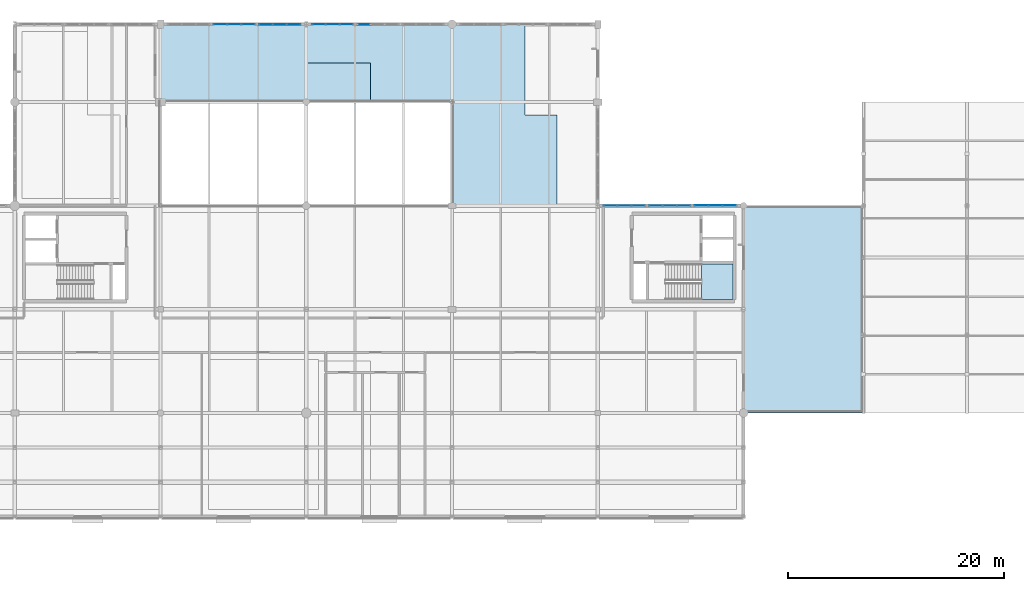
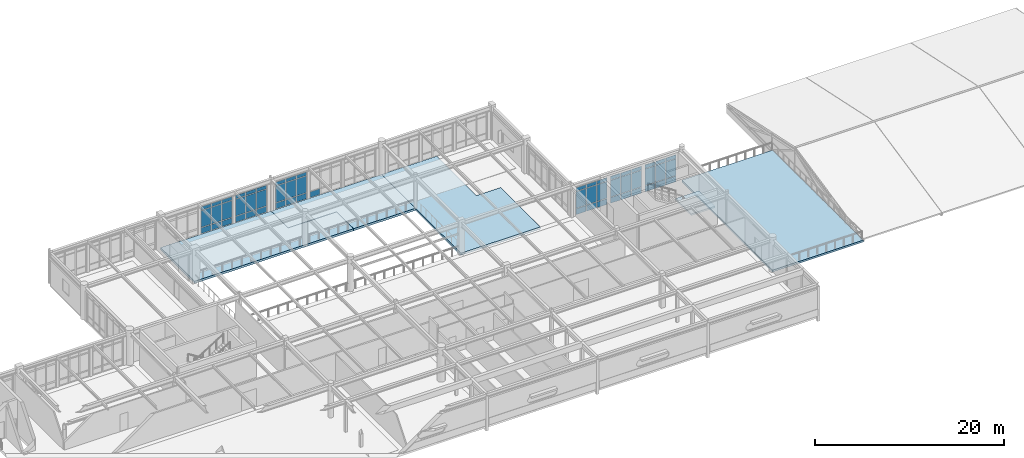
# One storey, part 40 of 61: 55 plates, 5 slabs, 8 elements without a shape of their own.
"""IFC4 building model written with IfcOpenShell, lengths in metres."""

import ifcopenshell
import ifcopenshell.guid

model = None  # the IFC model being written
_history = None  # IfcOwnerHistory: only IFC2X3 demands one
_inside = {}  # id of a spatial element -> (the spatial element, [elements in it])
_under = {}  # id of a project, library or spatial element -> (it, [spatial elements below it])
_declared = {}  # id of a project -> (the project, [libraries it declares])
_typed = {}  # id of a type object -> (the type object, [elements of that type])
_made_of = {}  # id of a material, layer set ... -> (it, [elements and type objects made of it])


def new_model(schema):
    """Start an empty IFC model of exactly this schema.

    Asked for "IFC4X3", IfcOpenShell would pick the latest addendum, in which some entities
    have other attributes; the version numbers below select the first issue.
    IFC2X3 requires an IfcOwnerHistory on every rooted entity: one is made here for all.
    """
    global model, _history
    if schema == "IFC4X3":
        model = ifcopenshell.file(schema_version=(4, 3, 0, 0))
    else:
        model = ifcopenshell.file(schema=schema)
    _inside.clear()
    _under.clear()
    _declared.clear()
    _typed.clear()
    _made_of.clear()
    _history = None
    if model.schema == "IFC2X3":
        org = make("IfcOrganization", Name="unknown")
        user = make(
            "IfcPersonAndOrganization",
            ThePerson=make("IfcPerson", FamilyName="unknown"),
            TheOrganization=org,
        )
        app = make(
            "IfcApplication",
            ApplicationDeveloper=org,
            Version="unknown",
            ApplicationFullName="unknown",
            ApplicationIdentifier="unknown",
        )
        _history = make(
            "IfcOwnerHistory",
            OwningUser=user,
            OwningApplication=app,
            ChangeAction="ADDED",
            CreationDate=0,
        )
    return model


def make(cls, **values):
    """One entity of the class cls with the attributes given. An attribute that is None is left unset."""
    return model.create_entity(
        cls, **{name: value for name, value in values.items() if value is not None}
    )


def rooted(cls, **values):
    """An entity with a GlobalId (a new one), such as an element, a storey or a relation."""
    return make(cls, GlobalId=ifcopenshell.guid.new(), OwnerHistory=_history, **values)


def si_unit(unit_type, name, prefix=None):
    """IfcSIUnit, for example si_unit("LENGTHUNIT", "METRE", prefix="MILLI")."""
    return make("IfcSIUnit", UnitType=unit_type, Prefix=prefix, Name=name)


def assignment(units):
    """IfcUnitAssignment: the units of a project."""
    return None if units is None else make("IfcUnitAssignment", Units=units)


def point(xyz):
    """IfcCartesianPoint."""
    return None if xyz is None else make("IfcCartesianPoint", Coordinates=xyz)


def direction(xyz):
    """IfcDirection."""
    return None if xyz is None else make("IfcDirection", DirectionRatios=xyz)


def frame(location, z_axis=None, x_axis=None):
    """IfcAxis2Placement3D, a coordinate frame: its origin and axes. An axis left out is left unset."""
    return make(
        "IfcAxis2Placement3D",
        Location=point(location),
        Axis=direction(z_axis),
        RefDirection=direction(x_axis),
    )


def frame_2d(location, x_axis=None):
    """IfcAxis2Placement2D, a coordinate frame in the plane: its origin and x axis."""
    return make(
        "IfcAxis2Placement2D", Location=point(location), RefDirection=direction(x_axis)
    )


def origin():
    """The frame at (0, 0, 0) with its axes left unset."""
    return frame((0.0, 0.0, 0.0))


def origin_2d():
    """The frame at (0, 0) in the plane with its x axis left unset."""
    return frame_2d((0.0, 0.0))


def place(relative_to, where):
    """IfcLocalPlacement: puts the frame where relative to a parent placement (None: the world)."""
    return make(
        "IfcLocalPlacement", PlacementRelTo=relative_to, RelativePlacement=where
    )


def context(
    kind, dimensions, precision=None, world=None, true_north=None, identifier=None
):
    """IfcGeometricRepresentationContext, for example the 3D "Model" context."""
    return make(
        "IfcGeometricRepresentationContext",
        ContextIdentifier=identifier,
        ContextType=kind,
        CoordinateSpaceDimension=dimensions,
        Precision=precision,
        WorldCoordinateSystem=world,
        TrueNorth=true_north,
    )


def subcontext(parent, identifier, kind, view, scale=None):
    """IfcGeometricRepresentationSubContext, for example "Body" below "Model"."""
    return make(
        "IfcGeometricRepresentationSubContext",
        ContextIdentifier=identifier,
        ContextType=kind,
        ParentContext=parent,
        TargetScale=scale,
        TargetView=view,
    )


def project(units=None, contexts=None):
    """IfcProject with its units and contexts."""
    return rooted(
        "IfcProject",
        Name="project",
        RepresentationContexts=contexts,
        UnitsInContext=assignment(units),
    )


def spatial(cls, under=None, at=None, **own):
    """A site, building, storey or space (cls), placed at a placement, below another one or the project."""
    s = rooted(cls, ObjectPlacement=at, **own)
    if under is not None:
        _under.setdefault(under.id(), (under, []))[1].append(s)
    return s


def polyline(points):
    """IfcPolyline through the points."""
    return make("IfcPolyline", Points=[point(p) for p in points])


def profile(cls, at=None, kind="AREA", **sizes):
    """A parametric profile (cls). Its sizes go by their IFC names, for example OverallWidth=200.0."""
    return make(cls, ProfileType=kind, Position=at, **sizes)


def rectangle(**sizes):
    """IfcRectangleProfileDef."""
    return profile("IfcRectangleProfileDef", **sizes)


def outline(outer, holes=None, kind="AREA"):
    """IfcArbitraryClosedProfileDef: a profile drawn as a closed curve; with holes, ...WithVoids."""
    if holes is None:
        return make("IfcArbitraryClosedProfileDef", ProfileType=kind, OuterCurve=outer)
    return make(
        "IfcArbitraryProfileDefWithVoids",
        ProfileType=kind,
        OuterCurve=outer,
        InnerCurves=holes,
    )


def extrude(swept, where, along, depth):
    """IfcExtrudedAreaSolid: the profile swept, set in the frame where, extruded along a direction by depth."""
    return make(
        "IfcExtrudedAreaSolid",
        SweptArea=swept,
        Position=where,
        ExtrudedDirection=direction(along),
        Depth=depth,
    )


def shape(context_of_items, identifier, shape_type, items):
    """IfcShapeRepresentation: the items that make up one representation, for example the "Body"."""
    return make(
        "IfcShapeRepresentation",
        ContextOfItems=context_of_items,
        RepresentationIdentifier=identifier,
        RepresentationType=shape_type,
        Items=items,
    )


def material(Name=None, Category=None):
    """IfcMaterial."""
    return make("IfcMaterial", Name=Name, Category=Category)


def layer(
    of_material, thickness, ventilated=None, Name=None, Category=None, Priority=None
):
    """IfcMaterialLayer: one layer of a wall or slab, of a material (None: an air gap)."""
    return make(
        "IfcMaterialLayer",
        Material=of_material,
        LayerThickness=thickness,
        IsVentilated=ventilated,
        Name=Name,
        Category=Category,
        Priority=Priority,
    )


def layer_set(layers, Name=None):
    """IfcMaterialLayerSet."""
    return make("IfcMaterialLayerSet", MaterialLayers=layers, LayerSetName=Name)


def made_of(thing, what):
    """Note that an element or type object is made of a material, layer set ...; save() writes the relation."""
    if what is not None:
        _made_of.setdefault(what.id(), (what, []))[1].append(thing)
    return thing


def type_object(cls, material=None, **own):
    """A type object (cls), such as IfcWallType, which elements share."""
    return made_of(rooted(cls, **own), material)


def element(
    cls,
    number,
    at=None,
    inside=None,
    cuts=None,
    type_object=None,
    material=None,
    context=None,
    identifier="Body",
    shape_type=None,
    held_by="IfcProductDefinitionShape",
    body=None,
    shapes=None,
    **own,
):
    """One element of the class cls, such as IfcWall. Its Tag is "e" and its number.

    at: its placement. inside: the storey or other place that contains it. cuts: it is an
    opening in that element (IfcRelVoidsElement). A single representation is given by context,
    identifier, shape_type and body (its items); several are given by shapes. held_by: the class
    of the entity that holds the representations. save() writes the other relations.
    """
    e = rooted(cls, Tag="e%d" % number, ObjectPlacement=at, **own)
    if body is not None:
        shapes = [shape(context, identifier, shape_type, body)]
    if shapes is not None:
        e.Representation = make(held_by, Representations=shapes)
    if inside is not None:
        _inside.setdefault(inside.id(), (inside, []))[1].append(e)
    if cuts is not None:
        rooted(
            "IfcRelVoidsElement", RelatingBuildingElement=cuts, RelatedOpeningElement=e
        )
    if type_object is not None:
        _typed.setdefault(type_object.id(), (type_object, []))[1].append(e)
    return made_of(e, material)


def aggregate(whole, parts):
    """IfcRelAggregates: a whole, such as a stair, and the parts it consists of."""
    return rooted("IfcRelAggregates", RelatingObject=whole, RelatedObjects=parts)


def save(model, path):
    """Write the relations noted so far, then the file.

    IfcRelAggregates (storeys below a building ...), IfcRelContainedInSpatialStructure (elements
    in a storey), IfcRelDefinesByType, IfcRelAssociatesMaterial and IfcRelDeclares: one each for
    every whole, place, type object, material and project.
    """
    for whole, parts in _under.values():
        aggregate(whole, parts)
    for where, things in _inside.values():
        rooted(
            "IfcRelContainedInSpatialStructure",
            RelatedElements=things,
            RelatingStructure=where,
        )
    for kind, things in _typed.values():
        rooted("IfcRelDefinesByType", RelatedObjects=things, RelatingType=kind)
    for what, things in _made_of.values():
        rooted("IfcRelAssociatesMaterial", RelatedObjects=things, RelatingMaterial=what)
    for by, libraries in _declared.values():
        rooted("IfcRelDeclares", RelatingContext=by, RelatedDefinitions=libraries)
    model.write(path)


model = new_model("IFC4")

# Units and contexts
model_context = context("Model", 3, precision=1e-05, world=origin(), true_north=direction((0.0, 1.0)))
body_context = subcontext(model_context, "Body", "Model", "MODEL_VIEW")
ifc_project = project(units=[si_unit("LENGTHUNIT", "METRE"), si_unit("AREAUNIT", "SQUARE_METRE"), si_unit("VOLUMEUNIT", "CUBIC_METRE"), si_unit("PLANEANGLEUNIT", "RADIAN"), si_unit("MASSUNIT", "GRAM", prefix="KILO")], contexts=[model_context])

# Site, building, storey
site_placement = place(None, origin())
site = spatial("IfcSite", under=ifc_project, at=site_placement, CompositionType="ELEMENT")
building_placement = place(site_placement, origin())
building = spatial("IfcBuilding", under=site, at=building_placement, Name="Fikremerkos Civic Library", CompositionType="ELEMENT")
storey_placement = place(building_placement, frame((0.0, 0.0, 14.39990234375)))
storey = spatial("IfcBuildingStorey", under=building, at=storey_placement, Name="L03", CompositionType="ELEMENT", Elevation=14.39990234375)

# Curtain wall, plates
ifc_material_1 = material(Name="Anodized aluminium Frame", Category="aluminium")
ifc_layer_1 = layer(ifc_material_1, 0.159912109375, Name="Anodized aluminium Frame")
ifc_layer_set_1 = layer_set([ifc_layer_1], Name="Anodized aluminium Frame")
curtain_wall_type_1 = type_object("IfcCurtainWallType", Name="Unitised curtain wall CW-17 4600x3600", PredefinedType="USERDEFINED", material=ifc_layer_set_1)
curtain_wall_1_placement = place(storey_placement, origin())
curtain_wall_1 = element("IfcCurtainWall", 1, at=curtain_wall_1_placement, inside=storey, type_object=curtain_wall_type_1, Name="Unitised curtain wall CW-17 L03 #197", ObjectType="UNITISED CURTAIN WALL", PredefinedType="USERDEFINED")
ifc_material_2 = material(Name="Solar control double glazing", Category="glass")
ifc_layer_2 = layer(ifc_material_2, 0.028076171875, Name="Solar control double glazing")
ifc_layer_set_2 = layer_set([ifc_layer_2], Name="Solar control double glazing")
plate_type_1 = type_object("IfcPlateType", Name="Curtain glazing panel CWP-01 28", PredefinedType="CURTAIN_PANEL", material=ifc_layer_set_2)
plate_1_placement = place(storey_placement, frame((65.2353515625, 48.0, 0.070068359375), z_axis=(0.0, 0.0, 1.0), x_axis=(1.0, 0.0, 0.0)))
plate_1 = element("IfcPlate", 2, at=plate_1_placement, type_object=plate_type_1, Name="CW-17 panel 1.1", PredefinedType="CURTAIN_PANEL", context=body_context, shape_type="SweptSolid", body=[
    extrude(rectangle(XDim=1.20849609375, YDim=0.028076171875, at=origin_2d()), origin(), (0.0, 0.0, 1.0), 0.7451171875),
])
plate_2_placement = place(storey_placement, frame((65.2353515625, 48.0, 0.88525390625), z_axis=(0.0, 0.0, 1.0), x_axis=(1.0, 0.0, 0.0)))
plate_2 = element("IfcPlate", 3, at=plate_2_placement, type_object=plate_type_1, Name="CW-17 panel 1.2", PredefinedType="CURTAIN_PANEL", context=body_context, shape_type="SweptSolid", body=[
    extrude(rectangle(XDim=1.20849609375, YDim=0.028076171875, at=origin_2d()), origin(), (0.0, 0.0, 1.0), 2.139892578125),
])
plate_3_placement = place(storey_placement, frame((65.2353515625, 48.0, 3.09521484375), z_axis=(0.0, 0.0, 1.0), x_axis=(1.0, 0.0, 0.0)))
plate_3 = element("IfcPlate", 4, at=plate_3_placement, type_object=plate_type_1, Name="CW-17 panel 1.3", PredefinedType="CURTAIN_PANEL", context=body_context, shape_type="SweptSolid", body=[
    extrude(rectangle(XDim=1.20849609375, YDim=0.028076171875, at=origin_2d()), origin(), (0.0, 0.0, 1.0), 0.445068359375),
])
plate_4_placement = place(storey_placement, frame((66.52490234375, 48.0, 0.070068359375), z_axis=(0.0, 0.0, 1.0), x_axis=(1.0, 0.0, 0.0)))
plate_4 = element("IfcPlate", 5, at=plate_4_placement, type_object=plate_type_1, Name="CW-17 panel 2.1", PredefinedType="CURTAIN_PANEL", context=body_context, shape_type="SweptSolid", body=[
    extrude(rectangle(XDim=1.240966796875, YDim=0.028076171875, at=origin_2d()), origin(), (0.0, 0.0, 1.0), 0.7451171875),
])
plate_5_placement = place(storey_placement, frame((66.52490234375, 48.0, 0.88525390625), z_axis=(0.0, 0.0, 1.0), x_axis=(1.0, 0.0, 0.0)))
plate_5 = element("IfcPlate", 6, at=plate_5_placement, type_object=plate_type_1, Name="CW-17 panel 2.2", PredefinedType="CURTAIN_PANEL", context=body_context, shape_type="SweptSolid", body=[
    extrude(rectangle(XDim=1.240966796875, YDim=0.028076171875, at=origin_2d()), origin(), (0.0, 0.0, 1.0), 2.139892578125),
])
plate_6_placement = place(storey_placement, frame((66.52490234375, 48.0, 3.09521484375), z_axis=(0.0, 0.0, 1.0), x_axis=(1.0, 0.0, 0.0)))
plate_6 = element("IfcPlate", 7, at=plate_6_placement, type_object=plate_type_1, Name="CW-17 panel 2.3", PredefinedType="CURTAIN_PANEL", context=body_context, shape_type="SweptSolid", body=[
    extrude(rectangle(XDim=1.240966796875, YDim=0.028076171875, at=origin_2d()), origin(), (0.0, 0.0, 1.0), 0.445068359375),
])
plate_7_placement = place(storey_placement, frame((67.814697265625, 48.0, 0.070068359375), z_axis=(0.0, 0.0, 1.0), x_axis=(1.0, 0.0, 0.0)))
plate_7 = element("IfcPlate", 8, at=plate_7_placement, type_object=plate_type_1, Name="CW-17 panel 3.1", PredefinedType="CURTAIN_PANEL", context=body_context, shape_type="SweptSolid", body=[
    extrude(rectangle(XDim=1.20849609375, YDim=0.028076171875, at=origin_2d()), origin(), (0.0, 0.0, 1.0), 0.7451171875),
])
plate_8_placement = place(storey_placement, frame((67.814697265625, 48.0, 0.88525390625), z_axis=(0.0, 0.0, 1.0), x_axis=(1.0, 0.0, 0.0)))
plate_8 = element("IfcPlate", 9, at=plate_8_placement, type_object=plate_type_1, Name="CW-17 panel 3.2", PredefinedType="CURTAIN_PANEL", context=body_context, shape_type="SweptSolid", body=[
    extrude(rectangle(XDim=1.20849609375, YDim=0.028076171875, at=origin_2d()), origin(), (0.0, 0.0, 1.0), 2.139892578125),
])
plate_9_placement = place(storey_placement, frame((67.814697265625, 48.0, 3.09521484375), z_axis=(0.0, 0.0, 1.0), x_axis=(1.0, 0.0, 0.0)))
plate_9 = element("IfcPlate", 10, at=plate_9_placement, type_object=plate_type_1, Name="CW-17 panel 3.3", PredefinedType="CURTAIN_PANEL", context=body_context, shape_type="SweptSolid", body=[
    extrude(rectangle(XDim=1.20849609375, YDim=0.028076171875, at=origin_2d()), origin(), (0.0, 0.0, 1.0), 0.445068359375),
])
aggregate(curtain_wall_1, [plate_1, plate_2, plate_3, plate_4, plate_5, plate_6, plate_7, plate_8, plate_9])

ifc_layer_3 = layer(ifc_material_1, 0.159912109375, Name="Anodized aluminium Frame")
ifc_layer_set_3 = layer_set([ifc_layer_3], Name="Anodized aluminium Frame")
curtain_wall_type_2 = type_object("IfcCurtainWallType", Name="Unitised curtain wall CW-01 3600x3600", PredefinedType="USERDEFINED", material=ifc_layer_set_3)
curtain_wall_2_placement = place(storey_placement, origin())
curtain_wall_2 = element("IfcCurtainWall", 11, at=curtain_wall_2_placement, inside=storey, type_object=curtain_wall_type_2, Name="Unitised curtain wall CW-01 L03 #199", ObjectType="UNITISED CURTAIN WALL", PredefinedType="USERDEFINED")
plate_10_placement = place(storey_placement, frame((74.36181640625, 48.0, 0.070068359375), z_axis=(0.0, 0.0, 1.0), x_axis=(1.0, 0.0, 0.0)))
plate_10 = element("IfcPlate", 12, at=plate_10_placement, type_object=plate_type_1, Name="CW-01 panel 1.1", PredefinedType="CURTAIN_PANEL", context=body_context, shape_type="SweptSolid", body=[
    extrude(rectangle(XDim=1.197509765625, YDim=0.028076171875, at=origin_2d()), origin(), (0.0, 0.0, 1.0), 0.7451171875),
])
plate_11_placement = place(storey_placement, frame((74.36181640625, 48.0, 0.88525390625), z_axis=(0.0, 0.0, 1.0), x_axis=(1.0, 0.0, 0.0)))
plate_11 = element("IfcPlate", 13, at=plate_11_placement, type_object=plate_type_1, Name="CW-01 panel 1.2", PredefinedType="CURTAIN_PANEL", context=body_context, shape_type="SweptSolid", body=[
    extrude(rectangle(XDim=1.197509765625, YDim=0.028076171875, at=origin_2d()), origin(), (0.0, 0.0, 1.0), 2.139892578125),
])
plate_12_placement = place(storey_placement, frame((74.36181640625, 48.0, 3.09521484375), z_axis=(0.0, 0.0, 1.0), x_axis=(1.0, 0.0, 0.0)))
plate_12 = element("IfcPlate", 14, at=plate_12_placement, type_object=plate_type_1, Name="CW-01 panel 1.3", PredefinedType="CURTAIN_PANEL", context=body_context, shape_type="SweptSolid", body=[
    extrude(rectangle(XDim=1.197509765625, YDim=0.028076171875, at=origin_2d()), origin(), (0.0, 0.0, 1.0), 0.445068359375),
])
plate_13_placement = place(storey_placement, frame((75.640380859375, 48.0, 0.070068359375), z_axis=(0.0, 0.0, 1.0), x_axis=(1.0, 0.0, 0.0)))
plate_13 = element("IfcPlate", 15, at=plate_13_placement, type_object=plate_type_1, Name="CW-01 panel 2.1", PredefinedType="CURTAIN_PANEL", context=body_context, shape_type="SweptSolid", body=[
    extrude(rectangle(XDim=1.22998046875, YDim=0.028076171875, at=origin_2d()), origin(), (0.0, 0.0, 1.0), 0.7451171875),
])
plate_14_placement = place(storey_placement, frame((75.640380859375, 48.0, 0.88525390625), z_axis=(0.0, 0.0, 1.0), x_axis=(1.0, 0.0, 0.0)))
plate_14 = element("IfcPlate", 16, at=plate_14_placement, type_object=plate_type_1, Name="CW-01 panel 2.2", PredefinedType="CURTAIN_PANEL", context=body_context, shape_type="SweptSolid", body=[
    extrude(rectangle(XDim=1.22998046875, YDim=0.028076171875, at=origin_2d()), origin(), (0.0, 0.0, 1.0), 2.139892578125),
])
plate_15_placement = place(storey_placement, frame((75.640380859375, 48.0, 3.09521484375), z_axis=(0.0, 0.0, 1.0), x_axis=(1.0, 0.0, 0.0)))
plate_15 = element("IfcPlate", 17, at=plate_15_placement, type_object=plate_type_1, Name="CW-01 panel 2.3", PredefinedType="CURTAIN_PANEL", context=body_context, shape_type="SweptSolid", body=[
    extrude(rectangle(XDim=1.22998046875, YDim=0.028076171875, at=origin_2d()), origin(), (0.0, 0.0, 1.0), 0.445068359375),
])
plate_16_placement = place(storey_placement, frame((76.9189453125, 48.0, 0.070068359375), z_axis=(0.0, 0.0, 1.0), x_axis=(1.0, 0.0, 0.0)))
plate_16 = element("IfcPlate", 18, at=plate_16_placement, type_object=plate_type_1, Name="CW-01 panel 3.1", PredefinedType="CURTAIN_PANEL", context=body_context, shape_type="SweptSolid", body=[
    extrude(rectangle(XDim=1.197509765625, YDim=0.028076171875, at=origin_2d()), origin(), (0.0, 0.0, 1.0), 0.7451171875),
])
plate_17_placement = place(storey_placement, frame((76.9189453125, 48.0, 0.88525390625), z_axis=(0.0, 0.0, 1.0), x_axis=(1.0, 0.0, 0.0)))
plate_17 = element("IfcPlate", 19, at=plate_17_placement, type_object=plate_type_1, Name="CW-01 panel 3.2", PredefinedType="CURTAIN_PANEL", context=body_context, shape_type="SweptSolid", body=[
    extrude(rectangle(XDim=1.197509765625, YDim=0.028076171875, at=origin_2d()), origin(), (0.0, 0.0, 1.0), 2.139892578125),
])
plate_18_placement = place(storey_placement, frame((76.9189453125, 48.0, 3.09521484375), z_axis=(0.0, 0.0, 1.0), x_axis=(1.0, 0.0, 0.0)))
plate_18 = element("IfcPlate", 20, at=plate_18_placement, type_object=plate_type_1, Name="CW-01 panel 3.3", PredefinedType="CURTAIN_PANEL", context=body_context, shape_type="SweptSolid", body=[
    extrude(rectangle(XDim=1.197509765625, YDim=0.028076171875, at=origin_2d()), origin(), (0.0, 0.0, 1.0), 0.445068359375),
])
aggregate(curtain_wall_2, [plate_10, plate_11, plate_12, plate_13, plate_14, plate_15, plate_16, plate_17, plate_18])

ifc_layer_4 = layer(ifc_material_1, 0.159912109375, Name="Anodized aluminium Frame")
ifc_layer_set_4 = layer_set([ifc_layer_4], Name="Anodized aluminium Frame")
curtain_wall_type_3 = type_object("IfcCurtainWallType", Name="Unitised curtain wall CW-09 3600x3400", PredefinedType="USERDEFINED", material=ifc_layer_set_4)
curtain_wall_3_placement = place(storey_placement, origin())
curtain_wall_3 = element("IfcCurtainWall", 21, at=curtain_wall_3_placement, inside=storey, type_object=curtain_wall_type_3, Name="Unitised curtain wall CW-09 L03 #207", ObjectType="UNITISED CURTAIN WALL", PredefinedType="USERDEFINED")
plate_19_placement = place(storey_placement, frame((101.3671875, 31.199951171875, 0.070068359375), z_axis=(0.0, 0.0, 1.0), x_axis=(1.0, 0.0, 0.0)))
plate_19 = element("IfcPlate", 22, at=plate_19_placement, type_object=plate_type_1, Name="CW-09 panel 1.1", PredefinedType="CURTAIN_PANEL", context=body_context, shape_type="SweptSolid", body=[
    extrude(rectangle(XDim=1.20849609375, YDim=0.028076171875, at=origin_2d()), origin(), (0.0, 0.0, 1.0), 0.7451171875),
])
plate_20_placement = place(storey_placement, frame((101.3671875, 31.199951171875, 0.88525390625), z_axis=(0.0, 0.0, 1.0), x_axis=(1.0, 0.0, 0.0)))
plate_20 = element("IfcPlate", 23, at=plate_20_placement, type_object=plate_type_1, Name="CW-09 panel 1.2", PredefinedType="CURTAIN_PANEL", context=body_context, shape_type="SweptSolid", body=[
    extrude(rectangle(XDim=1.20849609375, YDim=0.028076171875, at=origin_2d()), origin(), (0.0, 0.0, 1.0), 2.1298828125),
])
plate_21_placement = place(storey_placement, frame((101.3671875, 31.199951171875, 3.0849609375), z_axis=(0.0, 0.0, 1.0), x_axis=(1.0, 0.0, 0.0)))
plate_21 = element("IfcPlate", 24, at=plate_21_placement, type_object=plate_type_1, Name="CW-09 panel 1.3", PredefinedType="CURTAIN_PANEL", context=body_context, shape_type="SweptSolid", body=[
    extrude(rectangle(XDim=1.20849609375, YDim=0.028076171875, at=origin_2d()), origin(), (0.0, 0.0, 1.0), 0.445068359375),
])
plate_22_placement = place(storey_placement, frame((102.656982421875, 31.199951171875, 0.070068359375), z_axis=(0.0, 0.0, 1.0), x_axis=(1.0, 0.0, 0.0)))
plate_22 = element("IfcPlate", 25, at=plate_22_placement, type_object=plate_type_1, Name="CW-09 panel 2.1", PredefinedType="CURTAIN_PANEL", context=body_context, shape_type="SweptSolid", body=[
    extrude(rectangle(XDim=1.240966796875, YDim=0.028076171875, at=origin_2d()), origin(), (0.0, 0.0, 1.0), 0.7451171875),
])
plate_23_placement = place(storey_placement, frame((102.656982421875, 31.199951171875, 0.88525390625), z_axis=(0.0, 0.0, 1.0), x_axis=(1.0, 0.0, 0.0)))
plate_23 = element("IfcPlate", 26, at=plate_23_placement, type_object=plate_type_1, Name="CW-09 panel 2.2", PredefinedType="CURTAIN_PANEL", context=body_context, shape_type="SweptSolid", body=[
    extrude(rectangle(XDim=1.240966796875, YDim=0.028076171875, at=origin_2d()), origin(), (0.0, 0.0, 1.0), 2.1298828125),
])
plate_24_placement = place(storey_placement, frame((102.656982421875, 31.199951171875, 3.0849609375), z_axis=(0.0, 0.0, 1.0), x_axis=(1.0, 0.0, 0.0)))
plate_24 = element("IfcPlate", 27, at=plate_24_placement, type_object=plate_type_1, Name="CW-09 panel 2.3", PredefinedType="CURTAIN_PANEL", context=body_context, shape_type="SweptSolid", body=[
    extrude(rectangle(XDim=1.240966796875, YDim=0.028076171875, at=origin_2d()), origin(), (0.0, 0.0, 1.0), 0.445068359375),
])
plate_25_placement = place(storey_placement, frame((103.94677734375, 31.199951171875, 0.070068359375), z_axis=(0.0, 0.0, 1.0), x_axis=(1.0, 0.0, 0.0)))
plate_25 = element("IfcPlate", 28, at=plate_25_placement, type_object=plate_type_1, Name="CW-09 panel 3.1", PredefinedType="CURTAIN_PANEL", context=body_context, shape_type="SweptSolid", body=[
    extrude(rectangle(XDim=1.20849609375, YDim=0.028076171875, at=origin_2d()), origin(), (0.0, 0.0, 1.0), 0.7451171875),
])
plate_26_placement = place(storey_placement, frame((103.94677734375, 31.199951171875, 0.88525390625), z_axis=(0.0, 0.0, 1.0), x_axis=(1.0, 0.0, 0.0)))
plate_26 = element("IfcPlate", 29, at=plate_26_placement, type_object=plate_type_1, Name="CW-09 panel 3.2", PredefinedType="CURTAIN_PANEL", context=body_context, shape_type="SweptSolid", body=[
    extrude(rectangle(XDim=1.20849609375, YDim=0.028076171875, at=origin_2d()), origin(), (0.0, 0.0, 1.0), 2.1298828125),
])
plate_27_placement = place(storey_placement, frame((103.94677734375, 31.199951171875, 3.0849609375), z_axis=(0.0, 0.0, 1.0), x_axis=(1.0, 0.0, 0.0)))
plate_27 = element("IfcPlate", 30, at=plate_27_placement, type_object=plate_type_1, Name="CW-09 panel 3.3", PredefinedType="CURTAIN_PANEL", context=body_context, shape_type="SweptSolid", body=[
    extrude(rectangle(XDim=1.20849609375, YDim=0.028076171875, at=origin_2d()), origin(), (0.0, 0.0, 1.0), 0.445068359375),
])
aggregate(curtain_wall_3, [plate_19, plate_20, plate_21, plate_22, plate_23, plate_24, plate_25, plate_26, plate_27])

ifc_layer_5 = layer(ifc_material_1, 0.159912109375, Name="Anodized aluminium Frame")
ifc_layer_set_5 = layer_set([ifc_layer_5], Name="Anodized aluminium Frame")
curtain_wall_type_4 = type_object("IfcCurtainWallType", Name="Unitised curtain wall CW-18 2700x3400", PredefinedType="USERDEFINED", material=ifc_layer_set_5)
curtain_wall_4_placement = place(storey_placement, origin())
curtain_wall_4 = element("IfcCurtainWall", 31, at=curtain_wall_4_placement, inside=storey, type_object=curtain_wall_type_4, Name="Unitised curtain wall CW-18 L03 #198", ObjectType="UNITISED CURTAIN WALL", PredefinedType="USERDEFINED")
ifc_layer_6 = layer(ifc_material_2, 0.035888671875, Name="Solar control double glazing")
ifc_layer_set_6 = layer_set([ifc_layer_6], Name="Solar control double glazing")
plate_type_2 = type_object("IfcPlateType", Name="Curtain glazing panel CWP-02 36", PredefinedType="CURTAIN_PANEL", material=ifc_layer_set_6)
plate_28_placement = place(storey_placement, frame((69.451904296875, 48.0, 0.070068359375), z_axis=(0.0, 0.0, 1.0), x_axis=(1.0, 0.0, 0.0)))
plate_28 = element("IfcPlate", 32, at=plate_28_placement, type_object=plate_type_2, Name="CW-18 panel 1.1", PredefinedType="CURTAIN_PANEL", context=body_context, shape_type="SweptSolid", body=[
    extrude(rectangle(XDim=1.216064453125, YDim=0.035888671875, at=origin_2d()), origin(), (0.0, 0.0, 1.0), 0.7451171875),
])
plate_29_placement = place(storey_placement, frame((69.451904296875, 48.0, 0.88525390625), z_axis=(0.0, 0.0, 1.0), x_axis=(1.0, 0.0, 0.0)))
plate_29 = element("IfcPlate", 33, at=plate_29_placement, type_object=plate_type_2, Name="CW-18 panel 1.2", PredefinedType="CURTAIN_PANEL", context=body_context, shape_type="SweptSolid", body=[
    extrude(rectangle(XDim=1.216064453125, YDim=0.035888671875, at=origin_2d()), origin(), (0.0, 0.0, 1.0), 2.139892578125),
])
plate_30_placement = place(storey_placement, frame((69.451904296875, 48.0, 3.09521484375), z_axis=(0.0, 0.0, 1.0), x_axis=(1.0, 0.0, 0.0)))
plate_30 = element("IfcPlate", 34, at=plate_30_placement, type_object=plate_type_2, Name="CW-18 panel 1.3", PredefinedType="CURTAIN_PANEL", context=body_context, shape_type="SweptSolid", body=[
    extrude(rectangle(XDim=1.216064453125, YDim=0.035888671875, at=origin_2d()), origin(), (0.0, 0.0, 1.0), 0.445068359375),
])
plate_31_placement = place(storey_placement, frame((70.742919921875, 48.0, 0.070068359375), z_axis=(0.0, 0.0, 1.0), x_axis=(1.0, 0.0, 0.0)))
plate_31 = element("IfcPlate", 35, at=plate_31_placement, type_object=plate_type_2, Name="CW-18 panel 2.1", PredefinedType="CURTAIN_PANEL", context=body_context, shape_type="SweptSolid", body=[
    extrude(rectangle(XDim=1.24609375, YDim=0.035888671875, at=origin_2d()), origin(), (0.0, 0.0, 1.0), 0.7451171875),
])
plate_32_placement = place(storey_placement, frame((70.742919921875, 48.0, 0.88525390625), z_axis=(0.0, 0.0, 1.0), x_axis=(1.0, 0.0, 0.0)))
plate_32 = element("IfcPlate", 36, at=plate_32_placement, type_object=plate_type_2, Name="CW-18 panel 2.2", PredefinedType="CURTAIN_PANEL", context=body_context, shape_type="SweptSolid", body=[
    extrude(rectangle(XDim=1.24609375, YDim=0.035888671875, at=origin_2d()), origin(), (0.0, 0.0, 1.0), 2.139892578125),
])
plate_33_placement = place(storey_placement, frame((70.742919921875, 48.0, 3.09521484375), z_axis=(0.0, 0.0, 1.0), x_axis=(1.0, 0.0, 0.0)))
plate_33 = element("IfcPlate", 37, at=plate_33_placement, type_object=plate_type_2, Name="CW-18 panel 2.3", PredefinedType="CURTAIN_PANEL", context=body_context, shape_type="SweptSolid", body=[
    extrude(rectangle(XDim=1.24609375, YDim=0.035888671875, at=origin_2d()), origin(), (0.0, 0.0, 1.0), 0.445068359375),
])
plate_34_placement = place(storey_placement, frame((72.033935546875, 48.0, 0.070068359375), z_axis=(0.0, 0.0, 1.0), x_axis=(1.0, 0.0, 0.0)))
plate_34 = element("IfcPlate", 38, at=plate_34_placement, type_object=plate_type_2, Name="CW-18 panel 3.1", PredefinedType="CURTAIN_PANEL", context=body_context, shape_type="SweptSolid", body=[
    extrude(rectangle(XDim=1.216064453125, YDim=0.035888671875, at=origin_2d()), origin(), (0.0, 0.0, 1.0), 0.7451171875),
])
plate_35_placement = place(storey_placement, frame((72.033935546875, 48.0, 0.88525390625), z_axis=(0.0, 0.0, 1.0), x_axis=(1.0, 0.0, 0.0)))
plate_35 = element("IfcPlate", 39, at=plate_35_placement, type_object=plate_type_2, Name="CW-18 panel 3.2", PredefinedType="CURTAIN_PANEL", context=body_context, shape_type="SweptSolid", body=[
    extrude(rectangle(XDim=1.216064453125, YDim=0.035888671875, at=origin_2d()), origin(), (0.0, 0.0, 1.0), 2.139892578125),
])
plate_36_placement = place(storey_placement, frame((72.033935546875, 48.0, 3.09521484375), z_axis=(0.0, 0.0, 1.0), x_axis=(1.0, 0.0, 0.0)))
plate_36 = element("IfcPlate", 40, at=plate_36_placement, type_object=plate_type_2, Name="CW-18 panel 3.3", PredefinedType="CURTAIN_PANEL", context=body_context, shape_type="SweptSolid", body=[
    extrude(rectangle(XDim=1.216064453125, YDim=0.035888671875, at=origin_2d()), origin(), (0.0, 0.0, 1.0), 0.445068359375),
])
aggregate(curtain_wall_4, [plate_28, plate_29, plate_30, plate_31, plate_32, plate_33, plate_34, plate_35, plate_36])

# Curtain wall, plate
ifc_layer_7 = layer(ifc_material_1, 0.159912109375, Name="Anodized aluminium Frame")
ifc_layer_set_7 = layer_set([ifc_layer_7], Name="Anodized aluminium Frame")
curtain_wall_type_5 = type_object("IfcCurtainWallType", Name="Unitised curtain wall CW-02 3900x3600", PredefinedType="USERDEFINED", material=ifc_layer_set_7)
curtain_wall_5_placement = place(storey_placement, origin())
curtain_wall_5 = element("IfcCurtainWall", 41, at=curtain_wall_5_placement, inside=storey, type_object=curtain_wall_type_5, Name="Unitised curtain wall CW-02 L03 #200", ObjectType="UNITISED CURTAIN WALL", PredefinedType="USERDEFINED")
plate_37_placement = place(storey_placement, frame((78.545166015625, 48.0, 0.070068359375), z_axis=(0.0, 0.0, 1.0), x_axis=(1.0, 0.0, 0.0)))
plate_37 = element("IfcPlate", 42, at=plate_37_placement, type_object=plate_type_2, Name="CW-02 panel 1.1", PredefinedType="CURTAIN_PANEL", context=body_context, shape_type="SweptSolid", body=[
    extrude(rectangle(XDim=1.204833984375, YDim=0.035888671875, at=origin_2d()), origin(), (0.0, 0.0, 1.0), 0.7451171875),
])
aggregate(curtain_wall_5, [plate_37])

# Curtain wall, plates
ifc_layer_8 = layer(ifc_material_1, 0.159912109375, Name="Anodized aluminium Frame")
ifc_layer_set_8 = layer_set([ifc_layer_8], Name="Anodized aluminium Frame")
curtain_wall_type_6 = type_object("IfcCurtainWallType", Name="Unitised curtain wall CW-10 4000x3400", PredefinedType="USERDEFINED", material=ifc_layer_set_8)
curtain_wall_6_placement = place(storey_placement, origin())
curtain_wall_6 = element("IfcCurtainWall", 43, at=curtain_wall_6_placement, inside=storey, type_object=curtain_wall_type_6, Name="Unitised curtain wall CW-10 L03 #208", ObjectType="UNITISED CURTAIN WALL", PredefinedType="USERDEFINED")
plate_38_placement = place(storey_placement, frame((105.583984375, 31.199951171875, 0.070068359375), z_axis=(0.0, 0.0, 1.0), x_axis=(1.0, 0.0, 0.0)))
plate_38 = element("IfcPlate", 44, at=plate_38_placement, type_object=plate_type_2, Name="CW-10 panel 1.1", PredefinedType="CURTAIN_PANEL", context=body_context, shape_type="SweptSolid", body=[
    extrude(rectangle(XDim=1.216064453125, YDim=0.035888671875, at=origin_2d()), origin(), (0.0, 0.0, 1.0), 0.7451171875),
])
plate_39_placement = place(storey_placement, frame((105.583984375, 31.199951171875, 0.88525390625), z_axis=(0.0, 0.0, 1.0), x_axis=(1.0, 0.0, 0.0)))
plate_39 = element("IfcPlate", 45, at=plate_39_placement, type_object=plate_type_2, Name="CW-10 panel 1.2", PredefinedType="CURTAIN_PANEL", context=body_context, shape_type="SweptSolid", body=[
    extrude(rectangle(XDim=1.216064453125, YDim=0.035888671875, at=origin_2d()), origin(), (0.0, 0.0, 1.0), 2.1298828125),
])
plate_40_placement = place(storey_placement, frame((105.583984375, 31.199951171875, 3.0849609375), z_axis=(0.0, 0.0, 1.0), x_axis=(1.0, 0.0, 0.0)))
plate_40 = element("IfcPlate", 46, at=plate_40_placement, type_object=plate_type_2, Name="CW-10 panel 1.3", PredefinedType="CURTAIN_PANEL", context=body_context, shape_type="SweptSolid", body=[
    extrude(rectangle(XDim=1.216064453125, YDim=0.035888671875, at=origin_2d()), origin(), (0.0, 0.0, 1.0), 0.445068359375),
])
plate_41_placement = place(storey_placement, frame((106.875, 31.199951171875, 0.070068359375), z_axis=(0.0, 0.0, 1.0), x_axis=(1.0, 0.0, 0.0)))
plate_41 = element("IfcPlate", 47, at=plate_41_placement, type_object=plate_type_2, Name="CW-10 panel 2.1", PredefinedType="CURTAIN_PANEL", context=body_context, shape_type="SweptSolid", body=[
    extrude(rectangle(XDim=1.24609375, YDim=0.035888671875, at=origin_2d()), origin(), (0.0, 0.0, 1.0), 0.7451171875),
])
plate_42_placement = place(storey_placement, frame((106.875, 31.199951171875, 0.88525390625), z_axis=(0.0, 0.0, 1.0), x_axis=(1.0, 0.0, 0.0)))
plate_42 = element("IfcPlate", 48, at=plate_42_placement, type_object=plate_type_2, Name="CW-10 panel 2.2", PredefinedType="CURTAIN_PANEL", context=body_context, shape_type="SweptSolid", body=[
    extrude(rectangle(XDim=1.24609375, YDim=0.035888671875, at=origin_2d()), origin(), (0.0, 0.0, 1.0), 2.1298828125),
])
plate_43_placement = place(storey_placement, frame((106.875, 31.199951171875, 3.0849609375), z_axis=(0.0, 0.0, 1.0), x_axis=(1.0, 0.0, 0.0)))
plate_43 = element("IfcPlate", 49, at=plate_43_placement, type_object=plate_type_2, Name="CW-10 panel 2.3", PredefinedType="CURTAIN_PANEL", context=body_context, shape_type="SweptSolid", body=[
    extrude(rectangle(XDim=1.24609375, YDim=0.035888671875, at=origin_2d()), origin(), (0.0, 0.0, 1.0), 0.445068359375),
])
plate_44_placement = place(storey_placement, frame((108.166015625, 31.199951171875, 0.070068359375), z_axis=(0.0, 0.0, 1.0), x_axis=(1.0, 0.0, 0.0)))
plate_44 = element("IfcPlate", 50, at=plate_44_placement, type_object=plate_type_2, Name="CW-10 panel 3.1", PredefinedType="CURTAIN_PANEL", context=body_context, shape_type="SweptSolid", body=[
    extrude(rectangle(XDim=1.216064453125, YDim=0.035888671875, at=origin_2d()), origin(), (0.0, 0.0, 1.0), 0.7451171875),
])
plate_45_placement = place(storey_placement, frame((108.166015625, 31.199951171875, 0.88525390625), z_axis=(0.0, 0.0, 1.0), x_axis=(1.0, 0.0, 0.0)))
plate_45 = element("IfcPlate", 51, at=plate_45_placement, type_object=plate_type_2, Name="CW-10 panel 3.2", PredefinedType="CURTAIN_PANEL", context=body_context, shape_type="SweptSolid", body=[
    extrude(rectangle(XDim=1.216064453125, YDim=0.035888671875, at=origin_2d()), origin(), (0.0, 0.0, 1.0), 2.1298828125),
])
plate_46_placement = place(storey_placement, frame((108.166015625, 31.199951171875, 3.0849609375), z_axis=(0.0, 0.0, 1.0), x_axis=(1.0, 0.0, 0.0)))
plate_46 = element("IfcPlate", 52, at=plate_46_placement, type_object=plate_type_2, Name="CW-10 panel 3.3", PredefinedType="CURTAIN_PANEL", context=body_context, shape_type="SweptSolid", body=[
    extrude(rectangle(XDim=1.216064453125, YDim=0.035888671875, at=origin_2d()), origin(), (0.0, 0.0, 1.0), 0.445068359375),
])
aggregate(curtain_wall_6, [plate_38, plate_39, plate_40, plate_41, plate_42, plate_43, plate_44, plate_45, plate_46])

ifc_layer_9 = layer(ifc_material_1, 0.159912109375, Name="Anodized aluminium Frame")
ifc_layer_set_9 = layer_set([ifc_layer_9], Name="Anodized aluminium Frame")
curtain_wall_type_7 = type_object("IfcCurtainWallType", Name="Unitised curtain wall CW-11 3200x3400", PredefinedType="USERDEFINED", material=ifc_layer_set_9)
curtain_wall_7_placement = place(storey_placement, origin())
curtain_wall_7 = element("IfcCurtainWall", 53, at=curtain_wall_7_placement, inside=storey, type_object=curtain_wall_type_7, Name="Unitised curtain wall CW-11 L03 #209", ObjectType="UNITISED CURTAIN WALL", PredefinedType="USERDEFINED")
ifc_material_3 = material(Name="Insulated aluminium spandrel", Category="aluminium")
ifc_layer_10 = layer(ifc_material_3, 0.044921875, Name="Insulated aluminium spandrel")
ifc_layer_set_10 = layer_set([ifc_layer_10], Name="Insulated aluminium spandrel")
plate_type_3 = type_object("IfcPlateType", Name="Curtain spandrel panel CSP-01 45", PredefinedType="CURTAIN_PANEL", material=ifc_layer_set_10)
plate_47_placement = place(storey_placement, frame((109.802001953125, 31.199951171875, 0.065185546875), z_axis=(0.0, 0.0, 1.0), x_axis=(1.0, 0.0, 0.0)))
plate_47 = element("IfcPlate", 54, at=plate_47_placement, type_object=plate_type_3, Name="CW-11 panel 1.1", PredefinedType="CURTAIN_PANEL", context=body_context, shape_type="SweptSolid", body=[
    extrude(rectangle(XDim=1.216064453125, YDim=0.044921875, at=origin_2d()), origin(), (0.0, 0.0, 1.0), 0.75244140625),
])
plate_48_placement = place(storey_placement, frame((109.802001953125, 31.199951171875, 0.8828125), z_axis=(0.0, 0.0, 1.0), x_axis=(1.0, 0.0, 0.0)))
plate_48 = element("IfcPlate", 55, at=plate_48_placement, type_object=plate_type_3, Name="CW-11 panel 1.2", PredefinedType="CURTAIN_PANEL", context=body_context, shape_type="SweptSolid", body=[
    extrude(rectangle(XDim=1.216064453125, YDim=0.044921875, at=origin_2d()), origin(), (0.0, 0.0, 1.0), 2.135009765625),
])
plate_49_placement = place(storey_placement, frame((109.802001953125, 31.199951171875, 3.08251953125), z_axis=(0.0, 0.0, 1.0), x_axis=(1.0, 0.0, 0.0)))
plate_49 = element("IfcPlate", 56, at=plate_49_placement, type_object=plate_type_3, Name="CW-11 panel 1.3", PredefinedType="CURTAIN_PANEL", context=body_context, shape_type="SweptSolid", body=[
    extrude(rectangle(XDim=1.216064453125, YDim=0.044921875, at=origin_2d()), origin(), (0.0, 0.0, 1.0), 0.452392578125),
])
plate_50_placement = place(storey_placement, frame((111.093017578125, 31.199951171875, 0.065185546875), z_axis=(0.0, 0.0, 1.0), x_axis=(1.0, 0.0, 0.0)))
plate_50 = element("IfcPlate", 57, at=plate_50_placement, type_object=plate_type_3, Name="CW-11 panel 2.1", PredefinedType="CURTAIN_PANEL", context=body_context, shape_type="SweptSolid", body=[
    extrude(rectangle(XDim=1.24609375, YDim=0.044921875, at=origin_2d()), origin(), (0.0, 0.0, 1.0), 0.75244140625),
])
plate_51_placement = place(storey_placement, frame((111.093017578125, 31.199951171875, 0.8828125), z_axis=(0.0, 0.0, 1.0), x_axis=(1.0, 0.0, 0.0)))
plate_51 = element("IfcPlate", 58, at=plate_51_placement, type_object=plate_type_3, Name="CW-11 panel 2.2", PredefinedType="CURTAIN_PANEL", context=body_context, shape_type="SweptSolid", body=[
    extrude(rectangle(XDim=1.24609375, YDim=0.044921875, at=origin_2d()), origin(), (0.0, 0.0, 1.0), 2.135009765625),
])
plate_52_placement = place(storey_placement, frame((111.093017578125, 31.199951171875, 3.08251953125), z_axis=(0.0, 0.0, 1.0), x_axis=(1.0, 0.0, 0.0)))
plate_52 = element("IfcPlate", 59, at=plate_52_placement, type_object=plate_type_3, Name="CW-11 panel 2.3", PredefinedType="CURTAIN_PANEL", context=body_context, shape_type="SweptSolid", body=[
    extrude(rectangle(XDim=1.24609375, YDim=0.044921875, at=origin_2d()), origin(), (0.0, 0.0, 1.0), 0.452392578125),
])
plate_53_placement = place(storey_placement, frame((112.384033203125, 31.199951171875, 0.065185546875), z_axis=(0.0, 0.0, 1.0), x_axis=(1.0, 0.0, 0.0)))
plate_53 = element("IfcPlate", 60, at=plate_53_placement, type_object=plate_type_3, Name="CW-11 panel 3.1", PredefinedType="CURTAIN_PANEL", context=body_context, shape_type="SweptSolid", body=[
    extrude(rectangle(XDim=1.216064453125, YDim=0.044921875, at=origin_2d()), origin(), (0.0, 0.0, 1.0), 0.75244140625),
])
plate_54_placement = place(storey_placement, frame((112.384033203125, 31.199951171875, 0.8828125), z_axis=(0.0, 0.0, 1.0), x_axis=(1.0, 0.0, 0.0)))
plate_54 = element("IfcPlate", 61, at=plate_54_placement, type_object=plate_type_3, Name="CW-11 panel 3.2", PredefinedType="CURTAIN_PANEL", context=body_context, shape_type="SweptSolid", body=[
    extrude(rectangle(XDim=1.216064453125, YDim=0.044921875, at=origin_2d()), origin(), (0.0, 0.0, 1.0), 2.135009765625),
])
plate_55_placement = place(storey_placement, frame((112.384033203125, 31.199951171875, 3.08251953125), z_axis=(0.0, 0.0, 1.0), x_axis=(1.0, 0.0, 0.0)))
plate_55 = element("IfcPlate", 62, at=plate_55_placement, type_object=plate_type_3, Name="CW-11 panel 3.3", PredefinedType="CURTAIN_PANEL", context=body_context, shape_type="SweptSolid", body=[
    extrude(rectangle(XDim=1.216064453125, YDim=0.044921875, at=origin_2d()), origin(), (0.0, 0.0, 1.0), 0.452392578125),
])
aggregate(curtain_wall_7, [plate_47, plate_48, plate_49, plate_50, plate_51, plate_52, plate_53, plate_54, plate_55])

# Slab
ifc_material_4 = material(Name="Concrete C40/50", Category="concrete")
ifc_layer_11 = layer(ifc_material_4, 0.239990234375, Name="Concrete C40/50")
ifc_layer_set_11 = layer_set([ifc_layer_11], Name="Concrete C40/50")
slab_type_1 = type_object("IfcSlabType", Name="External terrace slab ETS-01 240", PredefinedType="FLOOR", material=ifc_layer_set_11)
slab_1_placement = place(storey_placement, frame((0.0, 0.0, -0.239990234375)))
element("IfcSlab", 63, at=slab_1_placement, inside=storey, type_object=slab_type_1, Name="Reading terrace slab ETS-01 L03-TERR-01", PredefinedType="FLOOR", context=body_context, shape_type="SweptSolid", body=[
    extrude(outline(polyline([(113.699951171875, 12.0), (124.800048828125, 12.0), (124.800048828125, 31.199951171875), (113.699951171875, 31.199951171875), (113.699951171875, 12.0)])), origin(), (0.0, 0.0, 1.0), 0.239990234375),
])

# Stair, slab
stair_type = type_object("IfcStairType", Name="Half turn stair ST-HT-03 W1550 H4500", PredefinedType="HALF_TURN_STAIR", material=ifc_material_4)
stair_placement = place(storey_placement, origin())
stair = element("IfcStair", 64, at=stair_placement, inside=storey, type_object=stair_type, Name="L03 ST-K2", PredefinedType="HALF_TURN_STAIR")
ifc_layer_12 = layer(ifc_material_4, 0.199951171875, Name="Concrete C40/50")
ifc_layer_set_12 = layer_set([ifc_layer_12], Name="Concrete C40/50")
slab_type_2 = type_object("IfcSlabType", Name="Stair landing slab SLS-01 200", PredefinedType="LANDING", material=ifc_layer_set_12)
slab_2_placement = place(storey_placement, frame((0.0, 0.0, 2.050048828125)))
slab_2 = element("IfcSlab", 65, at=slab_2_placement, type_object=slab_type_2, Name="ST-K2 landing 1", PredefinedType="LANDING", context=body_context, shape_type="SweptSolid", body=[
    extrude(outline(polyline([(109.81005859375, 22.5), (112.699951171875, 22.5), (112.699951171875, 25.800048828125), (109.81005859375, 25.800048828125), (109.81005859375, 22.5)])), origin(), (0.0, 0.0, 1.0), 0.199951171875),
])
aggregate(stair, [slab_2])

# Slabs
ifc_layer_13 = layer(ifc_material_4, 0.280029296875, Name="Concrete C40/50")
ifc_layer_set_13 = layer_set([ifc_layer_13], Name="Concrete C40/50")
slab_type_3 = type_object("IfcSlabType", Name="Suspended floor slab SFS-04 280", PredefinedType="FLOOR", material=ifc_layer_set_13)
slab_3_placement = place(storey_placement, frame((0.0, 0.0, -0.27978515625)))
element("IfcSlab", 66, at=slab_3_placement, inside=storey, type_object=slab_type_3, Name="Floor slab SFS-04 SLB-L03-V4-A-2L1", PredefinedType="FLOOR", context=body_context, shape_type="SweptSolid", body=[
    extrude(outline(polyline([(59.699951171875, 40.800048828125), (79.135986328125, 40.800048828125), (79.135986328125, 44.39599609375), (73.196044921875, 44.39599609375), (73.196044921875, 48.0), (59.699951171875, 48.0), (59.699951171875, 40.800048828125)])), origin(), (0.0, 0.0, 1.0), 0.27978515625),
])
slab_4_placement = place(storey_placement, frame((0.0, 0.0, -0.27978515625)))
element("IfcSlab", 67, at=slab_4_placement, inside=storey, type_object=slab_type_3, Name="Floor slab SFS-04 SLB-L03-V4-A-2L2", PredefinedType="FLOOR", context=body_context, shape_type="SweptSolid", body=[
    extrude(outline(polyline([(79.14404296875, 40.800048828125), (86.699951171875, 40.800048828125), (86.699951171875, 48.0), (73.2041015625, 48.0), (73.2041015625, 44.404052734375), (79.14404296875, 44.404052734375), (79.14404296875, 40.800048828125)])), origin(), (0.0, 0.0, 1.0), 0.27978515625),
])
slab_5_placement = place(storey_placement, frame((0.0, 0.0, -0.27978515625)))
element("IfcSlab", 68, at=slab_5_placement, inside=storey, type_object=slab_type_3, Name="Floor slab SFS-04 SLB-L03-V4-A-3L1", PredefinedType="FLOOR", context=body_context, shape_type="SweptSolid", body=[
    extrude(outline(polyline([(86.699951171875, 31.199951171875), (96.416015625, 31.199951171875), (96.416015625, 39.595947265625), (93.446044921875, 39.595947265625), (93.446044921875, 48.0), (86.699951171875, 48.0), (86.699951171875, 31.199951171875)])), origin(), (0.0, 0.0, 1.0), 0.27978515625),
])

save(model, "model.ifc")
